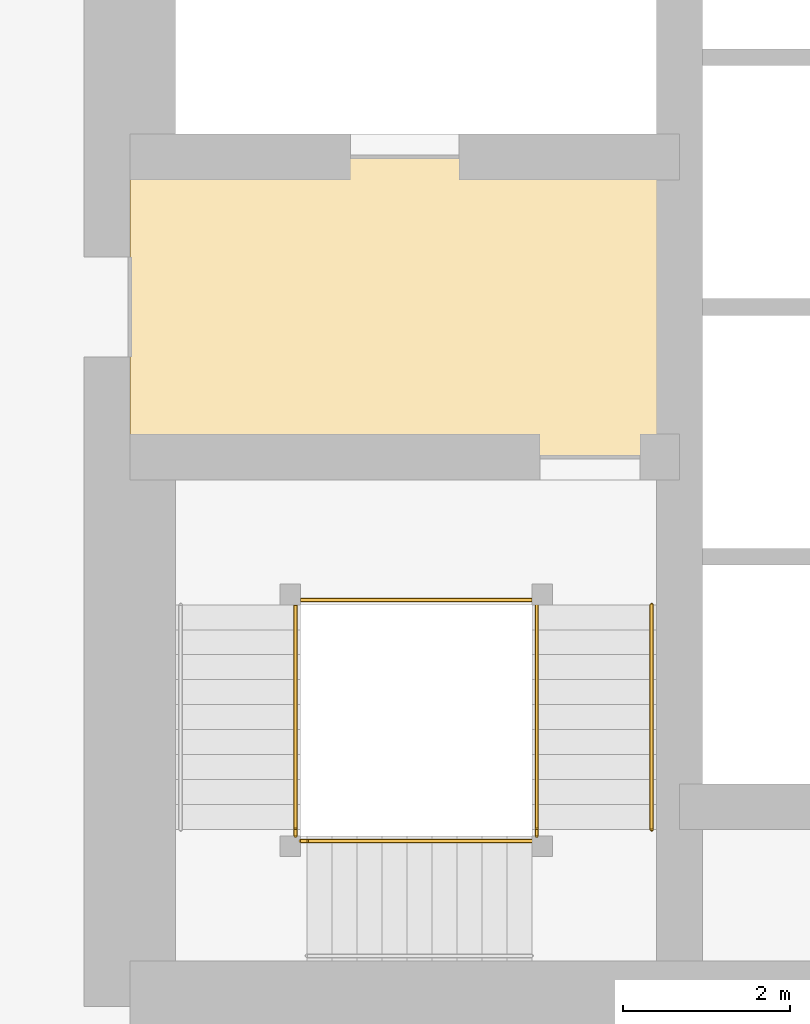
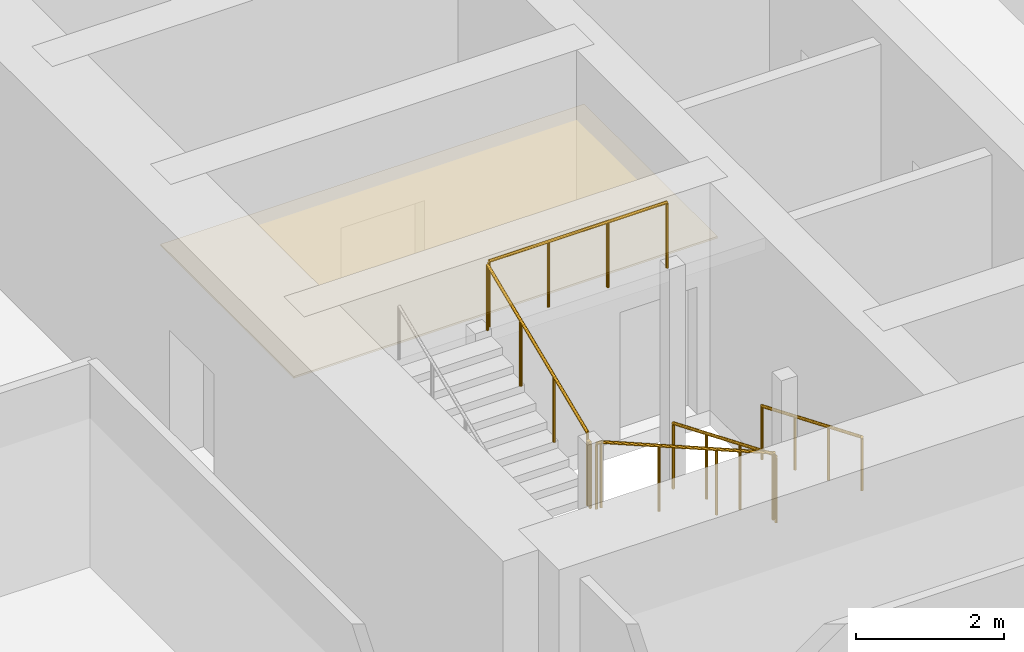
# One storey, part 35 of 42: 8 railings, 1 covering.
"""IFC4 building model written with IfcOpenShell, lengths in metres."""

import ifcopenshell
import ifcopenshell.guid

model = None  # the IFC model being written
_history = None  # IfcOwnerHistory: only IFC2X3 demands one
_inside = {}  # id of a spatial element -> (the spatial element, [elements in it])
_under = {}  # id of a project, library or spatial element -> (it, [spatial elements below it])
_declared = {}  # id of a project -> (the project, [libraries it declares])
_typed = {}  # id of a type object -> (the type object, [elements of that type])
_made_of = {}  # id of a material, layer set ... -> (it, [elements and type objects made of it])


def new_model(schema):
    """Start an empty IFC model of exactly this schema.

    Asked for "IFC4X3", IfcOpenShell would pick the latest addendum, in which some entities
    have other attributes; the version numbers below select the first issue.
    IFC2X3 requires an IfcOwnerHistory on every rooted entity: one is made here for all.
    """
    global model, _history
    if schema == "IFC4X3":
        model = ifcopenshell.file(schema_version=(4, 3, 0, 0))
    else:
        model = ifcopenshell.file(schema=schema)
    _inside.clear()
    _under.clear()
    _declared.clear()
    _typed.clear()
    _made_of.clear()
    _history = None
    if model.schema == "IFC2X3":
        org = make("IfcOrganization", Name="unknown")
        user = make(
            "IfcPersonAndOrganization",
            ThePerson=make("IfcPerson", FamilyName="unknown"),
            TheOrganization=org,
        )
        app = make(
            "IfcApplication",
            ApplicationDeveloper=org,
            Version="unknown",
            ApplicationFullName="unknown",
            ApplicationIdentifier="unknown",
        )
        _history = make(
            "IfcOwnerHistory",
            OwningUser=user,
            OwningApplication=app,
            ChangeAction="ADDED",
            CreationDate=0,
        )
    return model


def make(cls, **values):
    """One entity of the class cls with the attributes given. An attribute that is None is left unset."""
    return model.create_entity(
        cls, **{name: value for name, value in values.items() if value is not None}
    )


def rooted(cls, **values):
    """An entity with a GlobalId (a new one), such as an element, a storey or a relation."""
    return make(cls, GlobalId=ifcopenshell.guid.new(), OwnerHistory=_history, **values)


def si_unit(unit_type, name, prefix=None):
    """IfcSIUnit, for example si_unit("LENGTHUNIT", "METRE", prefix="MILLI")."""
    return make("IfcSIUnit", UnitType=unit_type, Prefix=prefix, Name=name)


def assignment(units):
    """IfcUnitAssignment: the units of a project."""
    return None if units is None else make("IfcUnitAssignment", Units=units)


def point(xyz):
    """IfcCartesianPoint."""
    return None if xyz is None else make("IfcCartesianPoint", Coordinates=xyz)


def direction(xyz):
    """IfcDirection."""
    return None if xyz is None else make("IfcDirection", DirectionRatios=xyz)


def frame(location, z_axis=None, x_axis=None):
    """IfcAxis2Placement3D, a coordinate frame: its origin and axes. An axis left out is left unset."""
    return make(
        "IfcAxis2Placement3D",
        Location=point(location),
        Axis=direction(z_axis),
        RefDirection=direction(x_axis),
    )


def frame_2d(location, x_axis=None):
    """IfcAxis2Placement2D, a coordinate frame in the plane: its origin and x axis."""
    return make(
        "IfcAxis2Placement2D", Location=point(location), RefDirection=direction(x_axis)
    )


def origin():
    """The frame at (0, 0, 0) with its axes left unset."""
    return frame((0.0, 0.0, 0.0))


def origin_2d():
    """The frame at (0, 0) in the plane with its x axis left unset."""
    return frame_2d((0.0, 0.0))


def place(relative_to, where):
    """IfcLocalPlacement: puts the frame where relative to a parent placement (None: the world)."""
    return make(
        "IfcLocalPlacement", PlacementRelTo=relative_to, RelativePlacement=where
    )


def context(
    kind, dimensions, precision=None, world=None, true_north=None, identifier=None
):
    """IfcGeometricRepresentationContext, for example the 3D "Model" context."""
    return make(
        "IfcGeometricRepresentationContext",
        ContextIdentifier=identifier,
        ContextType=kind,
        CoordinateSpaceDimension=dimensions,
        Precision=precision,
        WorldCoordinateSystem=world,
        TrueNorth=true_north,
    )


def subcontext(parent, identifier, kind, view, scale=None):
    """IfcGeometricRepresentationSubContext, for example "Body" below "Model"."""
    return make(
        "IfcGeometricRepresentationSubContext",
        ContextIdentifier=identifier,
        ContextType=kind,
        ParentContext=parent,
        TargetScale=scale,
        TargetView=view,
    )


def project(units=None, contexts=None):
    """IfcProject with its units and contexts."""
    return rooted(
        "IfcProject",
        Name="project",
        RepresentationContexts=contexts,
        UnitsInContext=assignment(units),
    )


def spatial(cls, under=None, at=None, **own):
    """A site, building, storey or space (cls), placed at a placement, below another one or the project."""
    s = rooted(cls, ObjectPlacement=at, **own)
    if under is not None:
        _under.setdefault(under.id(), (under, []))[1].append(s)
    return s


def polyline(points):
    """IfcPolyline through the points."""
    return make("IfcPolyline", Points=[point(p) for p in points])


def profile(cls, at=None, kind="AREA", **sizes):
    """A parametric profile (cls). Its sizes go by their IFC names, for example OverallWidth=200.0."""
    return make(cls, ProfileType=kind, Position=at, **sizes)


def circle(**sizes):
    """IfcCircleProfileDef."""
    return profile("IfcCircleProfileDef", **sizes)


def outline(outer, holes=None, kind="AREA"):
    """IfcArbitraryClosedProfileDef: a profile drawn as a closed curve; with holes, ...WithVoids."""
    if holes is None:
        return make("IfcArbitraryClosedProfileDef", ProfileType=kind, OuterCurve=outer)
    return make(
        "IfcArbitraryProfileDefWithVoids",
        ProfileType=kind,
        OuterCurve=outer,
        InnerCurves=holes,
    )


def extrude(swept, where, along, depth):
    """IfcExtrudedAreaSolid: the profile swept, set in the frame where, extruded along a direction by depth."""
    return make(
        "IfcExtrudedAreaSolid",
        SweptArea=swept,
        Position=where,
        ExtrudedDirection=direction(along),
        Depth=depth,
    )


def shape(context_of_items, identifier, shape_type, items):
    """IfcShapeRepresentation: the items that make up one representation, for example the "Body"."""
    return make(
        "IfcShapeRepresentation",
        ContextOfItems=context_of_items,
        RepresentationIdentifier=identifier,
        RepresentationType=shape_type,
        Items=items,
    )


def material(Name=None, Category=None):
    """IfcMaterial."""
    return make("IfcMaterial", Name=Name, Category=Category)


def layer(
    of_material, thickness, ventilated=None, Name=None, Category=None, Priority=None
):
    """IfcMaterialLayer: one layer of a wall or slab, of a material (None: an air gap)."""
    return make(
        "IfcMaterialLayer",
        Material=of_material,
        LayerThickness=thickness,
        IsVentilated=ventilated,
        Name=Name,
        Category=Category,
        Priority=Priority,
    )


def layer_set(layers, Name=None):
    """IfcMaterialLayerSet."""
    return make("IfcMaterialLayerSet", MaterialLayers=layers, LayerSetName=Name)


def made_of(thing, what):
    """Note that an element or type object is made of a material, layer set ...; save() writes the relation."""
    if what is not None:
        _made_of.setdefault(what.id(), (what, []))[1].append(thing)
    return thing


def type_object(cls, material=None, **own):
    """A type object (cls), such as IfcWallType, which elements share."""
    return made_of(rooted(cls, **own), material)


def element(
    cls,
    number,
    at=None,
    inside=None,
    cuts=None,
    type_object=None,
    material=None,
    context=None,
    identifier="Body",
    shape_type=None,
    held_by="IfcProductDefinitionShape",
    body=None,
    shapes=None,
    **own,
):
    """One element of the class cls, such as IfcWall. Its Tag is "e" and its number.

    at: its placement. inside: the storey or other place that contains it. cuts: it is an
    opening in that element (IfcRelVoidsElement). A single representation is given by context,
    identifier, shape_type and body (its items); several are given by shapes. held_by: the class
    of the entity that holds the representations. save() writes the other relations.
    """
    e = rooted(cls, Tag="e%d" % number, ObjectPlacement=at, **own)
    if body is not None:
        shapes = [shape(context, identifier, shape_type, body)]
    if shapes is not None:
        e.Representation = make(held_by, Representations=shapes)
    if inside is not None:
        _inside.setdefault(inside.id(), (inside, []))[1].append(e)
    if cuts is not None:
        rooted(
            "IfcRelVoidsElement", RelatingBuildingElement=cuts, RelatedOpeningElement=e
        )
    if type_object is not None:
        _typed.setdefault(type_object.id(), (type_object, []))[1].append(e)
    return made_of(e, material)


def aggregate(whole, parts):
    """IfcRelAggregates: a whole, such as a stair, and the parts it consists of."""
    return rooted("IfcRelAggregates", RelatingObject=whole, RelatedObjects=parts)


def save(model, path):
    """Write the relations noted so far, then the file.

    IfcRelAggregates (storeys below a building ...), IfcRelContainedInSpatialStructure (elements
    in a storey), IfcRelDefinesByType, IfcRelAssociatesMaterial and IfcRelDeclares: one each for
    every whole, place, type object, material and project.
    """
    for whole, parts in _under.values():
        aggregate(whole, parts)
    for where, things in _inside.values():
        rooted(
            "IfcRelContainedInSpatialStructure",
            RelatedElements=things,
            RelatingStructure=where,
        )
    for kind, things in _typed.values():
        rooted("IfcRelDefinesByType", RelatedObjects=things, RelatingType=kind)
    for what, things in _made_of.values():
        rooted("IfcRelAssociatesMaterial", RelatedObjects=things, RelatingMaterial=what)
    for by, libraries in _declared.values():
        rooted("IfcRelDeclares", RelatingContext=by, RelatedDefinitions=libraries)
    model.write(path)


model = new_model("IFC4")

# Units and contexts
model_context = context("Model", 3, precision=1e-05, world=origin(), true_north=direction((0.0, 1.0)))
body_context = subcontext(model_context, "Body", "Model", "MODEL_VIEW")
ifc_project = project(units=[si_unit("LENGTHUNIT", "METRE"), si_unit("AREAUNIT", "SQUARE_METRE"), si_unit("VOLUMEUNIT", "CUBIC_METRE"), si_unit("PLANEANGLEUNIT", "RADIAN"), si_unit("MASSUNIT", "GRAM", prefix="KILO")], contexts=[model_context])

# Site, building, storey
site_placement = place(None, origin())
site = spatial("IfcSite", under=ifc_project, at=site_placement, CompositionType="ELEMENT")
building_placement = place(site_placement, origin())
building = spatial("IfcBuilding", under=site, at=building_placement, Name="Rekha Terrace Tower", CompositionType="ELEMENT")
storey_placement = place(building_placement, frame((0.0, 0.0, 70.39990234375)))
storey = spatial("IfcBuildingStorey", under=building, at=storey_placement, Name="L17", CompositionType="ELEMENT", Elevation=70.39990234375)

# Covering
ifc_material_1 = material(Name="Powder-coated aluminium pan", Category="aluminium")
ifc_layer = layer(ifc_material_1, 0.030029296875)
ifc_layer_set = layer_set([ifc_layer], Name="Powder-coated aluminium pan")
covering_type = type_object("IfcCoveringType", Name="CL3 300x1200 metal pan ceiling", PredefinedType="CEILING", material=ifc_layer_set)
covering_placement = place(storey_placement, frame((0.0, 0.0, 2.570068359375)))
element("IfcCovering", 1, at=covering_placement, inside=storey, type_object=covering_type, Name="Ceiling L17-FLB1", PredefinedType="CEILING", context=body_context, shape_type="SweptSolid", body=[
    extrude(outline(polyline([(31.800048828125, 31.199951171875), (25.199951171875, 31.199951171875), (25.199951171875, 27.60009765625), (31.800048828125, 27.60009765625), (31.800048828125, 31.199951171875)])), origin(), (0.0, 0.0, 1.0), 0.030029296875),
])

# Railings
ifc_material_2 = material(Name="Stainless steel balustrade", Category="steel")
railing_type_1 = type_object("IfcRailingType", Name="GR1 1100 stair guard", PredefinedType="GUARDRAIL", material=ifc_material_2)
railing_1_placement = place(storey_placement, frame((30.0849609375, 25.824951171875, 0.125)))
element("IfcRailing", 2, at=railing_1_placement, inside=storey, type_object=railing_type_1, Name="Guard ST1 L17 flight 1", PredefinedType="GUARDRAIL", context=body_context, shape_type="SweptSolid", body=[
    extrude(circle(Radius=0.02392578125, at=origin_2d()), frame((0.0, 0.0, 1.076171875), z_axis=(0.0, -0.923074453586, 0.384621311341), x_axis=(1.0, 0.0, 0.0)), (0.0, 0.0, 1.0), 2.925048828125),
    extrude(circle(Radius=0.02099609375, at=origin_2d()), origin(), (0.0, 0.0, 1.0), 1.052001953125),
    extrude(circle(Radius=0.02099609375, at=origin_2d()), frame((0.0, -0.89990234375, 0.375)), (0.0, 0.0, 1.0), 1.052001953125),
    extrude(circle(Radius=0.02099609375, at=origin_2d()), frame((0.0, -1.800048828125, 0.75)), (0.0, 0.0, 1.0), 1.052001953125),
    extrude(circle(Radius=0.02099609375, at=origin_2d()), frame((0.0, -2.699951171875, 1.125)), (0.0, 0.0, 1.0), 1.052001953125),
])
railing_2_placement = place(storey_placement, frame((30.02490234375, 22.989990234375, 1.375)))
element("IfcRailing", 3, at=railing_2_placement, inside=storey, type_object=railing_type_1, Name="Guard ST1 L17 flight 2", PredefinedType="GUARDRAIL", context=body_context, shape_type="SweptSolid", body=[
    extrude(circle(Radius=0.02392578125, at=origin_2d()), frame((0.0, 0.0, 1.076171875), z_axis=(-0.923074453586, 0.0, 0.384621311341), x_axis=(0.0, -1.0, 0.0)), (0.0, 0.0, 1.0), 2.925048828125),
    extrude(circle(Radius=0.02099609375, at=origin_2d()), origin(), (0.0, 0.0, 1.0), 1.052001953125),
    extrude(circle(Radius=0.02099609375, at=origin_2d()), frame((-0.89990234375, 0.0, 0.375)), (0.0, 0.0, 1.0), 1.052001953125),
    extrude(circle(Radius=0.02099609375, at=origin_2d()), frame((-1.800048828125, 0.0, 0.75)), (0.0, 0.0, 1.0), 1.052001953125),
    extrude(circle(Radius=0.02099609375, at=origin_2d()), frame((-2.699951171875, 0.0, 1.125)), (0.0, 0.0, 1.0), 1.052001953125),
])
railing_3_placement = place(storey_placement, frame((27.18994140625, 23.125, 2.625)))
element("IfcRailing", 4, at=railing_3_placement, inside=storey, type_object=railing_type_1, Name="Guard ST1 L17 flight 3", PredefinedType="GUARDRAIL", context=body_context, shape_type="SweptSolid", body=[
    extrude(circle(Radius=0.02392578125, at=origin_2d()), frame((0.0, 0.0, 1.076171875), z_axis=(0.0, 0.923074453586, 0.384621311341), x_axis=(-1.0, 0.0, 0.0)), (0.0, 0.0, 1.0), 2.925048828125),
    extrude(circle(Radius=0.02099609375, at=origin_2d()), origin(), (0.0, 0.0, 1.0), 1.052001953125),
    extrude(circle(Radius=0.02099609375, at=origin_2d()), frame((0.0, 0.89990234375, 0.375)), (0.0, 0.0, 1.0), 1.052001953125),
    extrude(circle(Radius=0.02099609375, at=origin_2d()), frame((0.0, 1.800048828125, 0.75)), (0.0, 0.0, 1.0), 1.052001953125),
    extrude(circle(Radius=0.02099609375, at=origin_2d()), frame((0.0, 2.699951171875, 1.125)), (0.0, 0.0, 1.0), 1.052001953125),
])
railing_4_placement = place(storey_placement, frame((30.0849609375, 23.125, 1.25)))
element("IfcRailing", 5, at=railing_4_placement, inside=storey, type_object=railing_type_1, Name="Guard ST1 L17 landing 1", PredefinedType="GUARDRAIL", context=body_context, shape_type="SweptSolid", body=[
    extrude(circle(Radius=0.02392578125, at=origin_2d()), frame((0.0, 0.0, 1.076171875), z_axis=(0.0, -1.0, 0.0), x_axis=(1.0, 0.0, 0.0)), (0.0, 0.0, 1.0), 0.074951171875),
    extrude(circle(Radius=0.02099609375, at=origin_2d()), origin(), (0.0, 0.0, 1.0), 1.052001953125),
    extrude(circle(Radius=0.02099609375, at=origin_2d()), frame((0.0, -0.074951171875, 0.0)), (0.0, 0.0, 1.0), 1.052001953125),
])
railing_5_placement = place(storey_placement, frame((27.324951171875, 22.989990234375, 2.5)))
element("IfcRailing", 6, at=railing_5_placement, inside=storey, type_object=railing_type_1, Name="Guard ST1 L17 landing 2", PredefinedType="GUARDRAIL", context=body_context, shape_type="SweptSolid", body=[
    extrude(circle(Radius=0.02392578125, at=origin_2d()), frame((0.0, 0.0, 1.076171875), z_axis=(-1.0, 0.0, 0.0), x_axis=(0.0, -1.0, 0.0)), (0.0, 0.0, 1.0), 0.074951171875),
    extrude(circle(Radius=0.02099609375, at=origin_2d()), origin(), (0.0, 0.0, 1.0), 1.052001953125),
    extrude(circle(Radius=0.02099609375, at=origin_2d()), frame((-0.074951171875, 0.0, 0.0)), (0.0, 0.0, 1.0), 1.052001953125),
])
railing_6_placement = place(storey_placement, frame((27.18994140625, 23.125, 2.5)))
element("IfcRailing", 7, at=railing_6_placement, inside=storey, type_object=railing_type_1, Name="Guard ST1 L17 landing 3", PredefinedType="GUARDRAIL", context=body_context, shape_type="SweptSolid", body=[
    extrude(circle(Radius=0.02392578125, at=origin_2d()), frame((0.0, 0.0, 1.076171875), z_axis=(0.0, -1.0, 0.0), x_axis=(1.0, 0.0, 0.0)), (0.0, 0.0, 1.0), 0.074951171875),
    extrude(circle(Radius=0.02099609375, at=origin_2d()), origin(), (0.0, 0.0, 1.0), 1.052001953125),
    extrude(circle(Radius=0.02099609375, at=origin_2d()), frame((0.0, -0.074951171875, 0.0)), (0.0, 0.0, 1.0), 1.052001953125),
])
railing_7_placement = place(storey_placement, frame((30.02490234375, 25.885009765625, 3.75)))
element("IfcRailing", 8, at=railing_7_placement, inside=storey, type_object=railing_type_1, Name="Guard ST1 L17 landing 4", PredefinedType="GUARDRAIL", context=body_context, shape_type="SweptSolid", body=[
    extrude(circle(Radius=0.02392578125, at=origin_2d()), frame((0.0, 0.0, 1.076171875), z_axis=(-1.0, 0.0, 0.0), x_axis=(0.0, -1.0, 0.0)), (0.0, 0.0, 1.0), 2.77490234375),
    extrude(circle(Radius=0.02099609375, at=origin_2d()), origin(), (0.0, 0.0, 1.0), 1.052001953125),
    extrude(circle(Radius=0.02099609375, at=origin_2d()), frame((-0.925048828125, 0.0, 0.0)), (0.0, 0.0, 1.0), 1.052001953125),
    extrude(circle(Radius=0.02099609375, at=origin_2d()), frame((-1.849853515625, 0.0, 0.0)), (0.0, 0.0, 1.0), 1.052001953125),
    extrude(circle(Radius=0.02099609375, at=origin_2d()), frame((-2.77490234375, 0.0, 0.0)), (0.0, 0.0, 1.0), 1.052001953125),
])
ifc_material_3 = material(Name="Stainless steel tube", Category="steel")
railing_type_2 = type_object("IfcRailingType", Name="HR1 900 stair handrail", PredefinedType="HANDRAIL", material=ifc_material_3)
railing_8_placement = place(storey_placement, frame((31.465087890625, 25.824951171875, 0.125)))
element("IfcRailing", 9, at=railing_8_placement, inside=storey, type_object=railing_type_2, Name="Handrail ST1 L17 flight 1", PredefinedType="HANDRAIL", context=body_context, shape_type="SweptSolid", body=[
    extrude(circle(Radius=0.02392578125, at=origin_2d()), frame((0.0, 0.0, 0.8759765625), z_axis=(0.0, -0.923074453586, 0.384621311341), x_axis=(1.0, 0.0, 0.0)), (0.0, 0.0, 1.0), 2.925048828125),
    extrude(circle(Radius=0.02099609375, at=origin_2d()), origin(), (0.0, 0.0, 1.0), 0.851806640625),
    extrude(circle(Radius=0.02099609375, at=origin_2d()), frame((0.0, -0.89990234375, 0.375)), (0.0, 0.0, 1.0), 0.851806640625),
    extrude(circle(Radius=0.02099609375, at=origin_2d()), frame((0.0, -1.800048828125, 0.75)), (0.0, 0.0, 1.0), 0.851806640625),
    extrude(circle(Radius=0.02099609375, at=origin_2d()), frame((0.0, -2.699951171875, 1.125)), (0.0, 0.0, 1.0), 0.851806640625),
])

save(model, "model.ifc")
